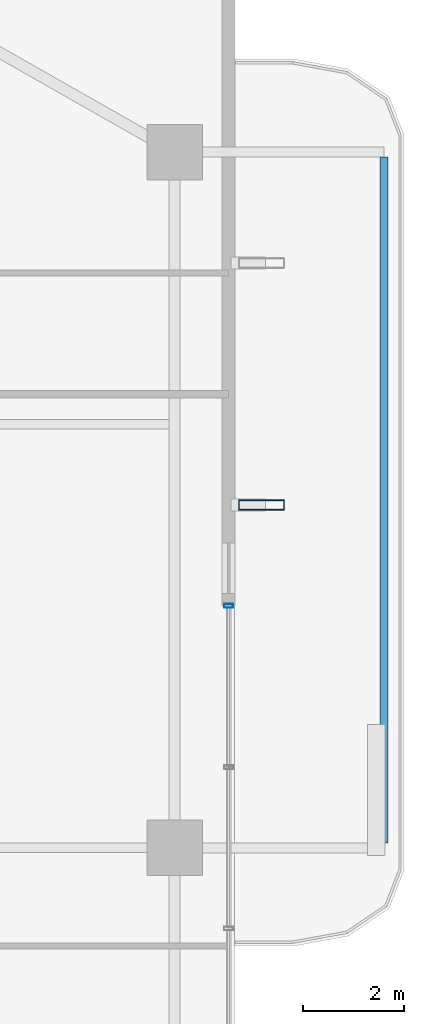
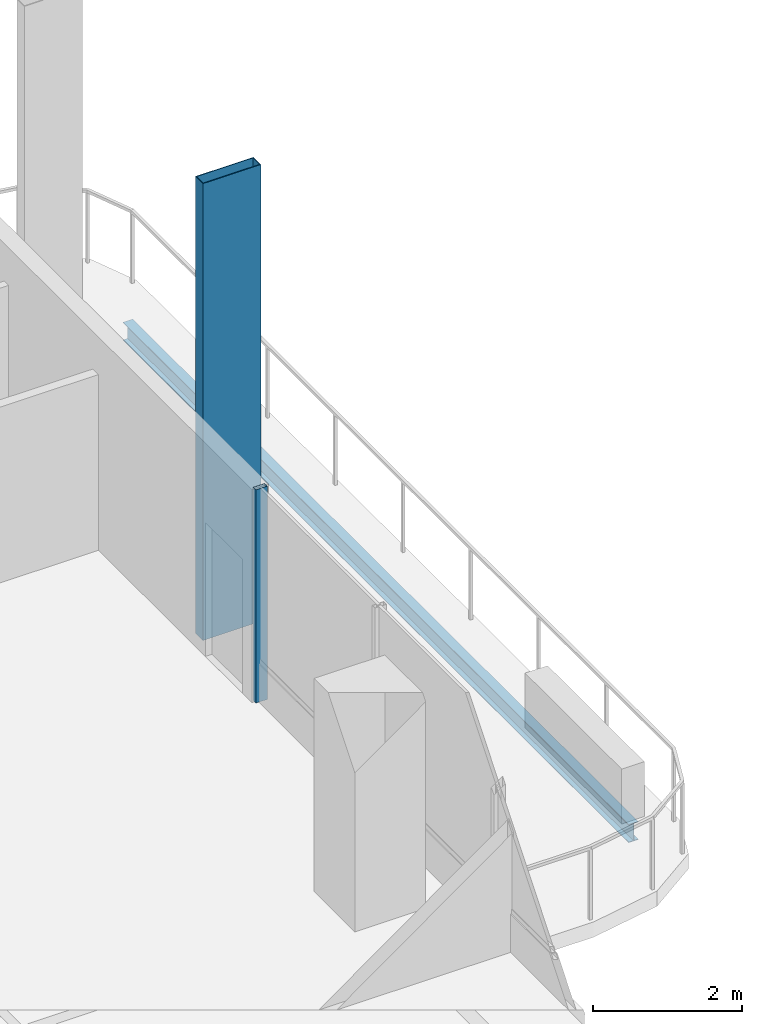
# One storey, part 13 of 24: 2 members, 1 beam, 1 element without a shape of its own.
"""IFC4 building model written with IfcOpenShell, lengths in metres."""

from ifc_helpers import new_model, si_unit, direction, frame, origin, origin_2d, place, context, subcontext, project, spatial, hollow_rectangle, i_section, extrude, material, layer, layer_set, material_profile, profile_set, type_object, element, aggregate, save


model = new_model("IFC4")

# Units and contexts
model_context = context("Model", 3, precision=1e-05, world=origin(), true_north=direction((0.0, 1.0)))
body_context = subcontext(model_context, "Body", "Model", "MODEL_VIEW")
ifc_project = project(units=[si_unit("LENGTHUNIT", "METRE"), si_unit("AREAUNIT", "SQUARE_METRE"), si_unit("VOLUMEUNIT", "CUBIC_METRE"), si_unit("PLANEANGLEUNIT", "RADIAN"), si_unit("MASSUNIT", "GRAM", prefix="KILO")], contexts=[model_context])

# Site, building, storey
site_placement = place(None, origin())
site = spatial("IfcSite", under=ifc_project, at=site_placement, CompositionType="ELEMENT")
building_placement = place(site_placement, origin())
building = spatial("IfcBuilding", under=site, at=building_placement, Name="Belovzor Exchange Tower", CompositionType="ELEMENT")
storey_placement = place(building_placement, frame((0.0, 0.0, 226.199951171875)))
storey = spatial("IfcBuildingStorey", under=building, at=storey_placement, Name="L56", CompositionType="ELEMENT", Elevation=226.199951171875)

# Beam
ifc_material_1 = material(Name="Steel S355", Category="steel")
ifc_material_profile_1 = material_profile(ifc_material_1, i_section(OverallWidth=0.14990234375, OverallDepth=0.300048828125, WebThickness=0.007080078125, FlangeThickness=0.0107421875, at=origin_2d()))
ifc_profile_set_1 = profile_set([ifc_material_profile_1], Name="Steel S355")
beam_type = type_object("IfcBeamType", Name="Planted Balcony Fascia Edge Beam IPE 300", PredefinedType="BEAM", material=ifc_profile_set_1)
beam_placement = place(storey_placement, frame((58.7529296875, 28.89990234375, -0.39990234375), z_axis=(0.0, 1.0, 0.0), x_axis=(-1.0, 0.0, 0.0)))
element("IfcBeam", 1, at=beam_placement, inside=storey, type_object=beam_type, Name="BC-300 Planted Balcony Fascia Edge Beam IPE 300", PredefinedType="BEAM", context=body_context, shape_type="SweptSolid", body=[
    extrude(i_section(OverallWidth=0.14990234375, OverallDepth=0.300048828125, WebThickness=0.007080078125, FlangeThickness=0.0107421875, at=origin_2d()), origin(), (0.0, 0.0, 1.0), 13.60009765625),
])

# Member
ifc_material_2 = material(Name="Extruded Architectural Terracotta on Steel S355 Carrier", Category="masonry")
ifc_material_profile_2 = material_profile(ifc_material_2, hollow_rectangle(XDim=0.199951171875, YDim=0.89990234375, WallThickness=0.011962890625, at=origin_2d()))
ifc_profile_set_2 = profile_set([ifc_material_profile_2], Name="Extruded Architectural Terracotta on Steel S355 Carrier")
member_type_1 = type_object("IfcMemberType", Name="Sweeping Terracotta Baguette Fin Assembly 950", PredefinedType="USERDEFINED", material=ifc_profile_set_2)
member_1_placement = place(storey_placement, frame((56.324951171875, 35.60009765625, -0.25), z_axis=(0.0, 0.0, 1.0), x_axis=(0.0, 1.0, 0.0)))
element("IfcMember", 2, at=member_1_placement, inside=storey, type_object=member_type_1, Name="FIN-TC095 Terracotta Facade Fin L56 E3", ObjectType="FIN", PredefinedType="USERDEFINED", context=body_context, shape_type="SweptSolid", body=[
    extrude(hollow_rectangle(XDim=0.199951171875, YDim=0.89990234375, WallThickness=0.011962890625, at=origin_2d()), origin(), (0.0, 0.0, 1.0), 7.5),
])

# Curtain wall, member
ifc_material_3 = material(Name="Anodised Aluminium Framing", Category="aluminium")
ifc_layer = layer(ifc_material_3, 0.179931640625)
ifc_layer_set = layer_set([ifc_layer], Name="Anodised Aluminium Framing")
curtain_wall_type = type_object("IfcCurtainWallType", Name="Recessed Loggia Low-Iron Triple-Glazed Curtain Wall", PredefinedType="NOTDEFINED", material=ifc_layer_set)
curtain_wall_placement = place(storey_placement, origin())
curtain_wall = element("IfcCurtainWall", 3, at=curtain_wall_placement, inside=storey, type_object=curtain_wall_type, Name="CW3 Recessed Loggia Low-Iron Triple-Glazed Curtain Wall L56", PredefinedType="NOTDEFINED")
ifc_material_4 = material(Name="Steel S355", Category="steel")
ifc_material_profile_3 = material_profile(ifc_material_4, hollow_rectangle(XDim=0.074951171875, YDim=0.179931640625, WallThickness=0.0048828125, at=origin_2d()))
ifc_profile_set_3 = profile_set([ifc_material_profile_3], Name="Steel S355")
member_type_2 = type_object("IfcMemberType", Name="Thermally Broken Curtain Wall Mullion 180x75", PredefinedType="MULLION", material=ifc_profile_set_3)
member_2_placement = place(storey_placement, frame((55.669921875, 33.60009765625, 0.0), z_axis=(0.0, 0.0, 1.0), x_axis=(0.0, -1.0, 0.0)))
member_2 = element("IfcMember", 4, at=member_2_placement, type_object=member_type_2, Name="CW-M180 Curtain Wall Mullion 1", PredefinedType="MULLION", context=body_context, shape_type="SweptSolid", body=[
    extrude(hollow_rectangle(XDim=0.074951171875, YDim=0.179931640625, WallThickness=0.0048828125, at=origin_2d()), origin(), (0.0, 0.0, 1.0), 3.5),
])
aggregate(curtain_wall, [member_2])

save(model, "model.ifc")
